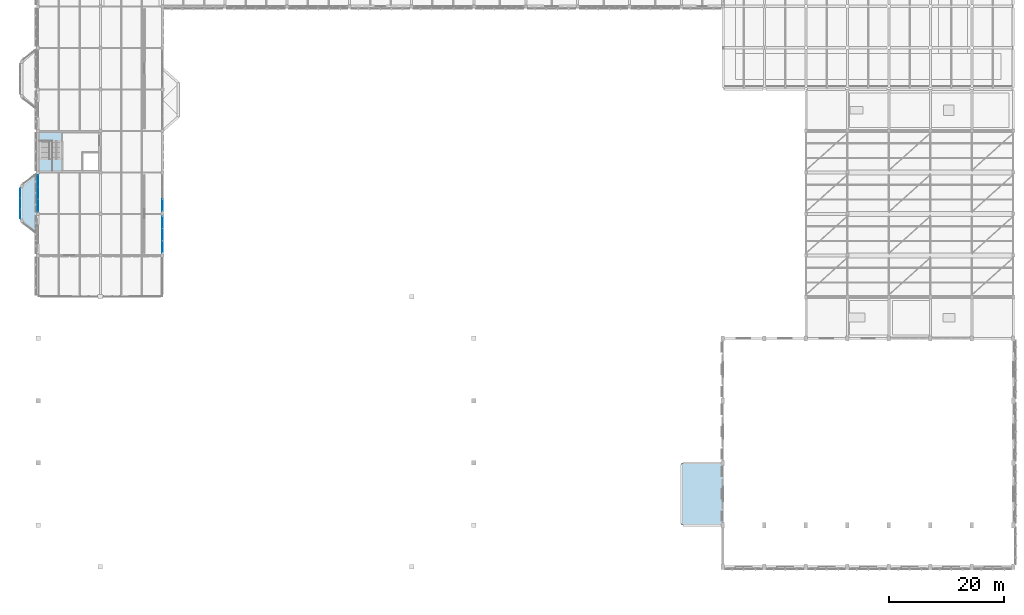
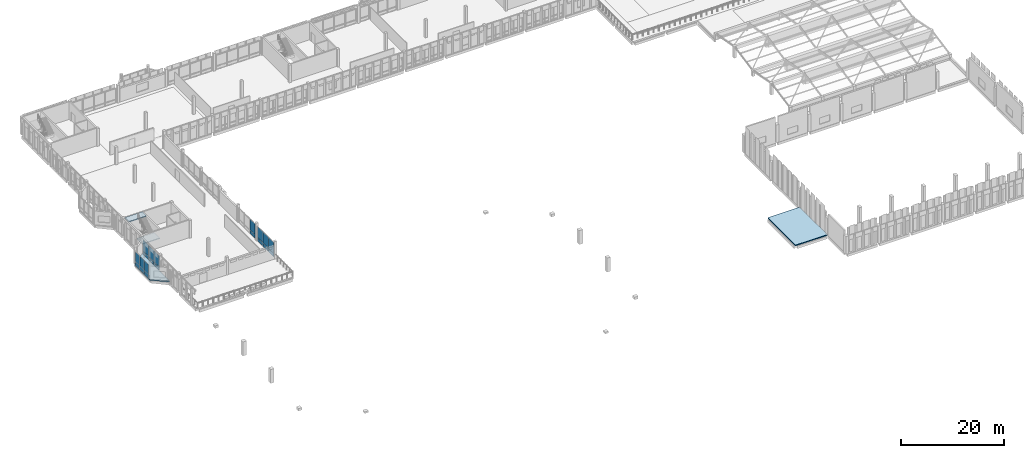
# One storey, part 49 of 72: 20 plates, 4 slabs, 5 elements without a shape of their own.
"""IFC4 building model written with IfcOpenShell, lengths in metres."""

from ifc_helpers import new_model, si_unit, direction, frame, origin, origin_2d, place, context, subcontext, project, spatial, polyline, rectangle, outline, extrude, material, layer, layer_set, type_object, element, aggregate, save


model = new_model("IFC4")

# Units and contexts
model_context = context("Model", 3, precision=1e-05, world=origin(), true_north=direction((0.0, 1.0)))
body_context = subcontext(model_context, "Body", "Model", "MODEL_VIEW")
ifc_project = project(units=[si_unit("LENGTHUNIT", "METRE"), si_unit("AREAUNIT", "SQUARE_METRE"), si_unit("VOLUMEUNIT", "CUBIC_METRE"), si_unit("PLANEANGLEUNIT", "RADIAN"), si_unit("MASSUNIT", "GRAM", prefix="KILO")], contexts=[model_context])

# Site, building, storey
site_placement = place(None, origin())
site = spatial("IfcSite", under=ifc_project, at=site_placement, CompositionType="ELEMENT")
building_placement = place(site_placement, origin())
building = spatial("IfcBuilding", under=site, at=building_placement, Name="Lusvemor Sports Hall", CompositionType="ELEMENT")
storey_placement = place(building_placement, frame((0.0, 0.0, 15.0)))
storey = spatial("IfcBuildingStorey", under=building, at=storey_placement, Name="L03", CompositionType="ELEMENT", Elevation=15.0)

# Curtain wall, plates
ifc_material_1 = material(Name="Thermally broken bronze-anodized aluminium", Category="aluminium")
curtain_wall_type_1 = type_object("IfcCurtainWallType", Name="CW_WING_B", PredefinedType="NOTDEFINED", material=ifc_material_1)
curtain_wall_1_placement = place(storey_placement, origin())
curtain_wall_1 = element("IfcCurtainWall", 1, at=curtain_wall_1_placement, inside=storey, type_object=curtain_wall_type_1, Name="Curtain Wall CW-L03-W-0-1", PredefinedType="NOTDEFINED")
ifc_material_2 = material(Name="Solar-control laminated double glazing", Category="glass")
ifc_layer_1 = layer(ifc_material_2, 0.028076171875)
ifc_layer_set_1 = layer_set([ifc_layer_1], Name="Solar-control laminated double glazing")
plate_type_1 = type_object("IfcPlateType", Name="CW_PAN_GLZ_28", PredefinedType="CURTAIN_PANEL", material=ifc_layer_set_1)
plate_1_placement = place(storey_placement, frame((0.0, 62.6962890625, 0.8798828125), z_axis=(0.0, 0.0, 1.0), x_axis=(0.0, 1.0, 0.0)))
plate_1 = element("IfcPlate", 2, at=plate_1_placement, type_object=plate_type_1, Name="CW02 panel 1.2", PredefinedType="CURTAIN_PANEL", context=body_context, shape_type="SweptSolid", body=[
    extrude(rectangle(XDim=2.0224609375, YDim=0.028076171875, at=origin_2d()), origin(), (0.0, 0.0, 1.0), 2.580078125),
])
plate_2_placement = place(storey_placement, frame((0.0, 64.800048828125, 0.8798828125), z_axis=(0.0, 0.0, 1.0), x_axis=(0.0, 1.0, 0.0)))
plate_2 = element("IfcPlate", 3, at=plate_2_placement, type_object=plate_type_1, Name="CW02 panel 2.2", PredefinedType="CURTAIN_PANEL", context=body_context, shape_type="SweptSolid", body=[
    extrude(rectangle(XDim=2.054931640625, YDim=0.028076171875, at=origin_2d()), origin(), (0.0, 0.0, 1.0), 2.580078125),
])
plate_3_placement = place(storey_placement, frame((0.0, 66.90380859375, 0.8798828125), z_axis=(0.0, 0.0, 1.0), x_axis=(0.0, 1.0, 0.0)))
plate_3 = element("IfcPlate", 4, at=plate_3_placement, type_object=plate_type_1, Name="CW02 panel 3.2", PredefinedType="CURTAIN_PANEL", context=body_context, shape_type="SweptSolid", body=[
    extrude(rectangle(XDim=2.0224609375, YDim=0.028076171875, at=origin_2d()), origin(), (0.0, 0.0, 1.0), 2.580078125),
])

curtain_wall_2_placement = place(storey_placement, origin())
curtain_wall_2 = element("IfcCurtainWall", 5, at=curtain_wall_2_placement, inside=storey, type_object=curtain_wall_type_1, Name="Curtain Wall CW-L03-E-4-0", PredefinedType="NOTDEFINED")
plate_4_placement = place(storey_placement, frame((21.60009765625, 59.703857421875, 0.8798828125), z_axis=(0.0, 0.0, 1.0), x_axis=(0.0, -1.0, 0.0)))
plate_4 = element("IfcPlate", 6, at=plate_4_placement, type_object=plate_type_1, Name="CW02 panel 1.2", PredefinedType="CURTAIN_PANEL", context=body_context, shape_type="SweptSolid", body=[
    extrude(rectangle(XDim=2.0224609375, YDim=0.028076171875, at=origin_2d()), origin(), (0.0, 0.0, 1.0), 2.580078125),
])
plate_5_placement = place(storey_placement, frame((21.60009765625, 57.60009765625, 0.8798828125), z_axis=(0.0, 0.0, 1.0), x_axis=(0.0, -1.0, 0.0)))
plate_5 = element("IfcPlate", 7, at=plate_5_placement, type_object=plate_type_1, Name="CW02 panel 2.2", PredefinedType="CURTAIN_PANEL", context=body_context, shape_type="SweptSolid", body=[
    extrude(rectangle(XDim=2.054931640625, YDim=0.028076171875, at=origin_2d()), origin(), (0.0, 0.0, 1.0), 2.580078125),
])
plate_6_placement = place(storey_placement, frame((21.60009765625, 55.496337890625, 0.8798828125), z_axis=(0.0, 0.0, 1.0), x_axis=(0.0, -1.0, 0.0)))
plate_6 = element("IfcPlate", 8, at=plate_6_placement, type_object=plate_type_1, Name="CW02 panel 3.2", PredefinedType="CURTAIN_PANEL", context=body_context, shape_type="SweptSolid", body=[
    extrude(rectangle(XDim=2.0224609375, YDim=0.028076171875, at=origin_2d()), origin(), (0.0, 0.0, 1.0), 2.580078125),
])

# Curtain wall, plate
curtain_wall_3_placement = place(storey_placement, origin())
curtain_wall_3 = element("IfcCurtainWall", 9, at=curtain_wall_3_placement, inside=storey, type_object=curtain_wall_type_1, Name="Curtain Wall CW-L03-E-4-1", PredefinedType="NOTDEFINED")
plate_7_placement = place(storey_placement, frame((21.60009765625, 62.6962890625, 0.8798828125), z_axis=(0.0, 0.0, 1.0), x_axis=(0.0, -1.0, 0.0)))
plate_7 = element("IfcPlate", 10, at=plate_7_placement, type_object=plate_type_1, Name="CW02 panel 3.2", PredefinedType="CURTAIN_PANEL", context=body_context, shape_type="SweptSolid", body=[
    extrude(rectangle(XDim=2.0224609375, YDim=0.028076171875, at=origin_2d()), origin(), (0.0, 0.0, 1.0), 2.580078125),
])

# Curtain wall, plates
ifc_material_3 = material(Name="Thermally broken bronze-anodized aluminium", Category="aluminium")
curtain_wall_type_2 = type_object("IfcCurtainWallType", Name="CW_FOYER_A", PredefinedType="NOTDEFINED", material=ifc_material_3)
curtain_wall_4_placement = place(storey_placement, origin())
curtain_wall_4 = element("IfcCurtainWall", 11, at=curtain_wall_4_placement, inside=storey, type_object=curtain_wall_type_2, Name="Curtain Wall CW-BOW-W1-L03-M", PredefinedType="NOTDEFINED")
plate_8_placement = place(storey_placement, frame((-3.10009765625, 61.250732421875, 0.882568359375), z_axis=(0.0, 0.0, 1.0), x_axis=(0.0, 1.0, 0.0)))
plate_8 = element("IfcPlate", 12, at=plate_8_placement, type_object=plate_type_1, Name="CW01 panel 1.2", PredefinedType="CURTAIN_PANEL", context=body_context, shape_type="SweptSolid", body=[
    extrude(rectangle(XDim=1.66162109375, YDim=0.028076171875, at=origin_2d()), origin(), (0.0, 0.0, 1.0), 2.33251953125),
])
plate_9_placement = place(storey_placement, frame((-3.10009765625, 63.0, 0.882568359375), z_axis=(0.0, 0.0, 1.0), x_axis=(0.0, 1.0, 0.0)))
plate_9 = element("IfcPlate", 13, at=plate_9_placement, type_object=plate_type_1, Name="CW01 panel 2.2", PredefinedType="CURTAIN_PANEL", context=body_context, shape_type="SweptSolid", body=[
    extrude(rectangle(XDim=1.69677734375, YDim=0.028076171875, at=origin_2d()), origin(), (0.0, 0.0, 1.0), 2.33251953125),
])
plate_10_placement = place(storey_placement, frame((-3.10009765625, 64.749267578125, 0.882568359375), z_axis=(0.0, 0.0, 1.0), x_axis=(0.0, 1.0, 0.0)))
plate_10 = element("IfcPlate", 14, at=plate_10_placement, type_object=plate_type_1, Name="CW01 panel 3.2", PredefinedType="CURTAIN_PANEL", context=body_context, shape_type="SweptSolid", body=[
    extrude(rectangle(XDim=1.66162109375, YDim=0.028076171875, at=origin_2d()), origin(), (0.0, 0.0, 1.0), 2.33251953125),
])

# Plate
ifc_material_4 = material(Name="Emerald polychrome glazed ceramic cladding on Concrete C40/50 backing", Category="concrete")
ifc_layer_2 = layer(ifc_material_4, 0.048095703125)
ifc_layer_set_2 = layer_set([ifc_layer_2], Name="Emerald polychrome glazed ceramic cladding on Concrete C40/50 backing")
plate_type_2 = type_object("IfcPlateType", Name="CW_PAN_SPN_48", PredefinedType="CURTAIN_PANEL", material=ifc_layer_set_2)
plate_11_placement = place(storey_placement, frame((0.0, 62.6962890625, 0.06005859375), z_axis=(0.0, 0.0, 1.0), x_axis=(0.0, 1.0, 0.0)))
plate_11 = element("IfcPlate", 15, at=plate_11_placement, type_object=plate_type_2, Name="CW02 panel 1.1", PredefinedType="CURTAIN_PANEL", context=body_context, shape_type="SweptSolid", body=[
    extrude(rectangle(XDim=2.0224609375, YDim=0.048095703125, at=origin_2d()), origin(), (0.0, 0.0, 1.0), 0.760009765625),
])

plate_12_placement = place(storey_placement, frame((0.0, 64.800048828125, 0.06005859375), z_axis=(0.0, 0.0, 1.0), x_axis=(0.0, 1.0, 0.0)))
plate_12 = element("IfcPlate", 16, at=plate_12_placement, type_object=plate_type_2, Name="CW02 panel 2.1", PredefinedType="CURTAIN_PANEL", context=body_context, shape_type="SweptSolid", body=[
    extrude(rectangle(XDim=2.054931640625, YDim=0.048095703125, at=origin_2d()), origin(), (0.0, 0.0, 1.0), 0.760009765625),
])

plate_13_placement = place(storey_placement, frame((0.0, 66.90380859375, 0.06005859375), z_axis=(0.0, 0.0, 1.0), x_axis=(0.0, 1.0, 0.0)))
plate_13 = element("IfcPlate", 17, at=plate_13_placement, type_object=plate_type_2, Name="CW02 panel 3.1", PredefinedType="CURTAIN_PANEL", context=body_context, shape_type="SweptSolid", body=[
    extrude(rectangle(XDim=2.0224609375, YDim=0.048095703125, at=origin_2d()), origin(), (0.0, 0.0, 1.0), 0.760009765625),
])

aggregate(curtain_wall_1, [plate_11, plate_1, plate_12, plate_2, plate_13, plate_3])

plate_14_placement = place(storey_placement, frame((21.60009765625, 59.703857421875, 0.06005859375), z_axis=(0.0, 0.0, 1.0), x_axis=(0.0, -1.0, 0.0)))
plate_14 = element("IfcPlate", 18, at=plate_14_placement, type_object=plate_type_2, Name="CW02 panel 1.1", PredefinedType="CURTAIN_PANEL", context=body_context, shape_type="SweptSolid", body=[
    extrude(rectangle(XDim=2.0224609375, YDim=0.048095703125, at=origin_2d()), origin(), (0.0, 0.0, 1.0), 0.760009765625),
])

plate_15_placement = place(storey_placement, frame((21.60009765625, 57.60009765625, 0.06005859375), z_axis=(0.0, 0.0, 1.0), x_axis=(0.0, -1.0, 0.0)))
plate_15 = element("IfcPlate", 19, at=plate_15_placement, type_object=plate_type_2, Name="CW02 panel 2.1", PredefinedType="CURTAIN_PANEL", context=body_context, shape_type="SweptSolid", body=[
    extrude(rectangle(XDim=2.054931640625, YDim=0.048095703125, at=origin_2d()), origin(), (0.0, 0.0, 1.0), 0.760009765625),
])

plate_16_placement = place(storey_placement, frame((21.60009765625, 55.496337890625, 0.06005859375), z_axis=(0.0, 0.0, 1.0), x_axis=(0.0, -1.0, 0.0)))
plate_16 = element("IfcPlate", 20, at=plate_16_placement, type_object=plate_type_2, Name="CW02 panel 3.1", PredefinedType="CURTAIN_PANEL", context=body_context, shape_type="SweptSolid", body=[
    extrude(rectangle(XDim=2.0224609375, YDim=0.048095703125, at=origin_2d()), origin(), (0.0, 0.0, 1.0), 0.760009765625),
])

aggregate(curtain_wall_2, [plate_14, plate_4, plate_15, plate_5, plate_16, plate_6])

plate_17_placement = place(storey_placement, frame((21.60009765625, 62.6962890625, 0.06005859375), z_axis=(0.0, 0.0, 1.0), x_axis=(0.0, -1.0, 0.0)))
plate_17 = element("IfcPlate", 21, at=plate_17_placement, type_object=plate_type_2, Name="CW02 panel 3.1", PredefinedType="CURTAIN_PANEL", context=body_context, shape_type="SweptSolid", body=[
    extrude(rectangle(XDim=2.0224609375, YDim=0.048095703125, at=origin_2d()), origin(), (0.0, 0.0, 1.0), 0.760009765625),
])

aggregate(curtain_wall_3, [plate_17, plate_7])

plate_18_placement = place(storey_placement, frame((-3.10009765625, 61.250732421875, 0.06494140625), z_axis=(0.0, 0.0, 1.0), x_axis=(0.0, 1.0, 0.0)))
plate_18 = element("IfcPlate", 22, at=plate_18_placement, type_object=plate_type_2, Name="CW01 panel 1.1", PredefinedType="CURTAIN_PANEL", context=body_context, shape_type="SweptSolid", body=[
    extrude(rectangle(XDim=1.66162109375, YDim=0.048095703125, at=origin_2d()), origin(), (0.0, 0.0, 1.0), 0.75244140625),
])

plate_19_placement = place(storey_placement, frame((-3.10009765625, 63.0, 0.06494140625), z_axis=(0.0, 0.0, 1.0), x_axis=(0.0, 1.0, 0.0)))
plate_19 = element("IfcPlate", 23, at=plate_19_placement, type_object=plate_type_2, Name="CW01 panel 2.1", PredefinedType="CURTAIN_PANEL", context=body_context, shape_type="SweptSolid", body=[
    extrude(rectangle(XDim=1.69677734375, YDim=0.048095703125, at=origin_2d()), origin(), (0.0, 0.0, 1.0), 0.75244140625),
])

plate_20_placement = place(storey_placement, frame((-3.10009765625, 64.749267578125, 0.06494140625), z_axis=(0.0, 0.0, 1.0), x_axis=(0.0, 1.0, 0.0)))
plate_20 = element("IfcPlate", 24, at=plate_20_placement, type_object=plate_type_2, Name="CW01 panel 3.1", PredefinedType="CURTAIN_PANEL", context=body_context, shape_type="SweptSolid", body=[
    extrude(rectangle(XDim=1.66162109375, YDim=0.048095703125, at=origin_2d()), origin(), (0.0, 0.0, 1.0), 0.75244140625),
])

aggregate(curtain_wall_4, [plate_18, plate_8, plate_19, plate_9, plate_20, plate_10])

# Slabs
ifc_material_5 = material(Name="Concrete C40/50", Category="concrete")
ifc_layer_3 = layer(ifc_material_5, 0.22998046875)
ifc_layer_set_3 = layer_set([ifc_layer_3], Name="Concrete C40/50")
slab_type_1 = type_object("IfcSlabType", Name="ROOF_AISLE_235", PredefinedType="ROOF", material=ifc_layer_set_3)
slab_1_placement = place(storey_placement, frame((0.0, 0.0, -0.22998046875)))
element("IfcSlab", 25, at=slab_1_placement, inside=storey, type_object=slab_type_1, Name="Roof Slab SLAB-ROOF-C7", PredefinedType="ROOF", context=body_context, shape_type="SweptSolid", body=[
    extrude(outline(polyline([(111.60009765625, 7.199951171875), (118.800048828125, 7.199951171875), (118.800048828125, 18.0), (111.60009765625, 18.0), (111.60009765625, 7.199951171875)])), origin(), (0.0, 0.0, 1.0), 0.22998046875),
])
ifc_material_6 = material(Name="Concrete C40/50", Category="concrete")
ifc_layer_4 = layer(ifc_material_6, 0.260009765625)
ifc_layer_set_4 = layer_set([ifc_layer_4], Name="Concrete C40/50")
slab_type_2 = type_object("IfcSlabType", Name="SLAB_INT_260", PredefinedType="FLOOR", material=ifc_layer_set_4)
slab_2_placement = place(storey_placement, frame((0.0, 0.0, -0.260009765625)))
element("IfcSlab", 26, at=slab_2_placement, inside=storey, type_object=slab_type_2, Name="Bow Pavilion Slab BOW-W1 (L03)", PredefinedType="FLOOR", context=body_context, shape_type="SweptSolid", body=[
    extrude(outline(polyline([(0.0, 57.60009765625), (-3.10009765625, 60.0), (-3.10009765625, 66.0), (0.0, 68.39990234375), (0.0, 57.60009765625)])), origin(), (0.0, 0.0, 1.0), 0.260009765625),
])

# Stair, slabs
ifc_material_7 = material(Name="Concrete C40/50", Category="concrete")
stair_type = type_object("IfcStairType", Name="STAIR_CORE_420", PredefinedType="HALF_TURN_STAIR", material=ifc_material_7)
stair_placement = place(storey_placement, origin())
stair = element("IfcStair", 27, at=stair_placement, inside=storey, type_object=stair_type, Name="Escape Stair C3 (L03)", PredefinedType="HALF_TURN_STAIR")
ifc_material_8 = material(Name="Concrete C40/50", Category="concrete")
ifc_layer_5 = layer(ifc_material_8, 0.199951171875)
ifc_layer_set_5 = layer_set([ifc_layer_5], Name="Concrete C40/50")
slab_type_3 = type_object("IfcSlabType", Name="SLAB_LAND_200", PredefinedType="LANDING", material=ifc_layer_set_5)
slab_3_placement = place(storey_placement, frame((0.0, 0.0, 1.89990234375)))
slab_3 = element("IfcSlab", 28, at=slab_3_placement, type_object=slab_type_3, Name="ST02 landing 1", PredefinedType="LANDING", context=body_context, shape_type="SweptSolid", body=[
    extrude(outline(polyline([(0.179931640625, 68.580078125), (4.1201171875, 68.580078125), (4.1201171875, 70.72998046875), (0.179931640625, 70.72998046875), (0.179931640625, 68.580078125)])), origin(), (0.0, 0.0, 1.0), 0.2001953125),
])
slab_4_placement = place(storey_placement, frame((0.0, 0.0, 4.0)))
slab_4 = element("IfcSlab", 29, at=slab_4_placement, type_object=slab_type_3, Name="ST02 landing 2", PredefinedType="LANDING", context=body_context, shape_type="SweptSolid", body=[
    extrude(outline(polyline([(0.179931640625, 73.840087890625), (4.1201171875, 73.840087890625), (4.1201171875, 75.419921875), (0.179931640625, 75.419921875), (0.179931640625, 73.840087890625)])), origin(), (0.0, 0.0, 1.0), 0.199951171875),
])
aggregate(stair, [slab_3, slab_4])

save(model, "model.ifc")
